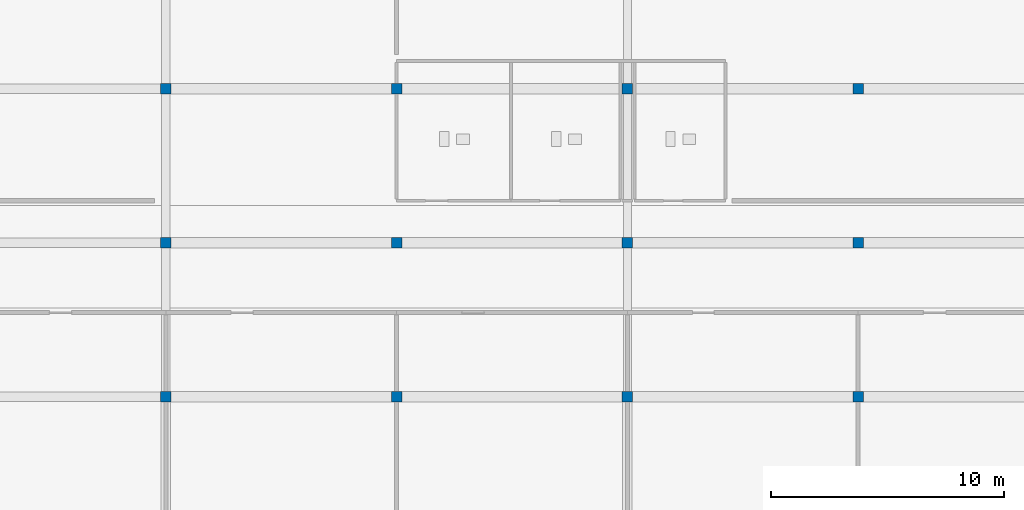
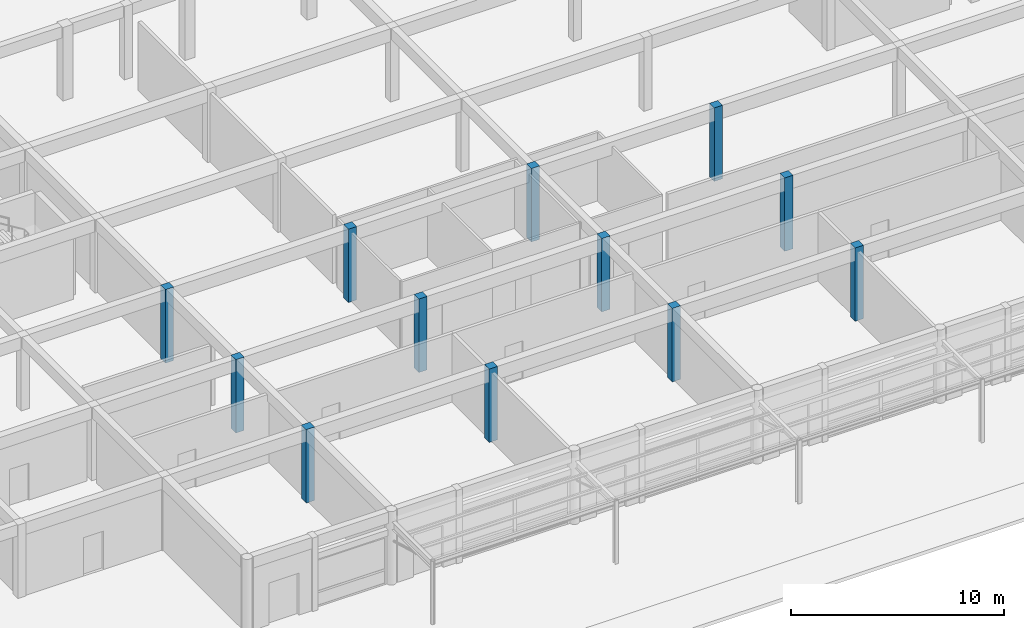
# One storey, part 4 of 75: 12 columns.
"""IFC4 building model written with IfcOpenShell, lengths in metres."""

from ifc_helpers import new_model, si_unit, direction, frame, origin, origin_2d, place, context, subcontext, project, spatial, rectangle, extrude, material, material_profile, profile_set, type_object, element, save


model = new_model("IFC4")

# Units and contexts
model_context = context("Model", 3, precision=1e-05, world=origin(), true_north=direction((0.0, 1.0)))
body_context = subcontext(model_context, "Body", "Model", "MODEL_VIEW")
ifc_project = project(units=[si_unit("LENGTHUNIT", "METRE"), si_unit("AREAUNIT", "SQUARE_METRE"), si_unit("VOLUMEUNIT", "CUBIC_METRE"), si_unit("PLANEANGLEUNIT", "RADIAN"), si_unit("MASSUNIT", "GRAM", prefix="KILO")], contexts=[model_context])

# Site, building, storey
site_placement = place(None, origin())
site = spatial("IfcSite", under=ifc_project, at=site_placement, CompositionType="ELEMENT")
building_placement = place(site_placement, origin())
building = spatial("IfcBuilding", under=site, at=building_placement, Name="Kernevlak Ridge Housing Community", CompositionType="ELEMENT")
storey_placement = place(building_placement, origin())
storey = spatial("IfcBuildingStorey", under=building, at=storey_placement, Name="L00", CompositionType="ELEMENT", Elevation=0.0)

# Columns
ifc_material = material(Name="Concrete C35/45", Category="concrete")
ifc_material_profile = material_profile(ifc_material, rectangle(XDim=0.449951171875, YDim=0.449951171875, at=origin_2d()), Name="RC 450x450")
ifc_profile_set = profile_set([ifc_material_profile], Name="Concrete C35/45")
column_type = type_object("IfcColumnType", Name="C-04", PredefinedType="COLUMN", material=ifc_profile_set)
for number, where, z_axis, x_axis, name in (
    (1, (64.199951171875, 15.60009765625, 0.0), (0.0, 0.0, 1.0), (1.0, 0.0, 0.0), "Column C-04 COL-POD-L00-111"),
    (2, (64.199951171875, 22.199951171875, 0.0), (0.0, 0.0, 1.0), (1.0, 0.0, 0.0), "Column C-04 COL-POD-L00-112"),
    (3, (64.199951171875, 28.800048828125, 0.0), (0.0, 0.0, 1.0), (1.0, 0.0, 0.0), "Column C-04 COL-POD-L00-113"),
    (4, (74.10009765625, 15.60009765625, 0.0), (0.0, 0.0, 1.0), (1.0, 0.0, 0.0), "Column C-04 COL-POD-L00-128"),
    (5, (74.10009765625, 22.199951171875, 0.0), (0.0, 0.0, 1.0), (1.0, 0.0, 0.0), "Column C-04 COL-POD-L00-129"),
    (6, (74.10009765625, 28.800048828125, 0.0), (0.0, 0.0, 1.0), (1.0, 0.0, 0.0), "Column C-04 COL-POD-L00-130"),
    (7, (84.0, 15.60009765625, 0.0), (0.0, 0.0, 1.0), (1.0, 0.0, 0.0), "Column C-04 COL-POD-L00-145"),
    (8, (84.0, 22.199951171875, 0.0), (0.0, 0.0, 1.0), (1.0, 0.0, 0.0), "Column C-04 COL-POD-L00-146"),
    (9, (84.0, 28.800048828125, 0.0), (0.0, 0.0, 1.0), (1.0, 0.0, 0.0), "Column C-04 COL-POD-L00-147"),
    (10, (93.89990234375, 15.60009765625, 0.0), (0.0, 0.0, 1.0), (1.0, 0.0, 0.0), "Column C-04 COL-POD-L00-162"),
    (11, (93.89990234375, 22.199951171875, 0.0), (0.0, 0.0, 1.0), (1.0, 0.0, 0.0), "Column C-04 COL-POD-L00-163"),
    (12, (93.89990234375, 28.800048828125, 0.0), (0.0, 0.0, 1.0), (1.0, 0.0, 0.0), "Column C-04 COL-POD-L00-164"),
):
    element("IfcColumn", number, at=place(storey_placement, frame(where, z_axis=z_axis, x_axis=x_axis)), inside=storey, type_object=column_type, Name=name, PredefinedType="COLUMN", context=body_context, shape_type="SweptSolid", body=[
        extrude(rectangle(XDim=0.449951171875, YDim=0.449951171875, at=origin_2d()), origin(), (0.0, 0.0, 1.0), 4.199951171875),
    ])

save(model, "model.ifc")
